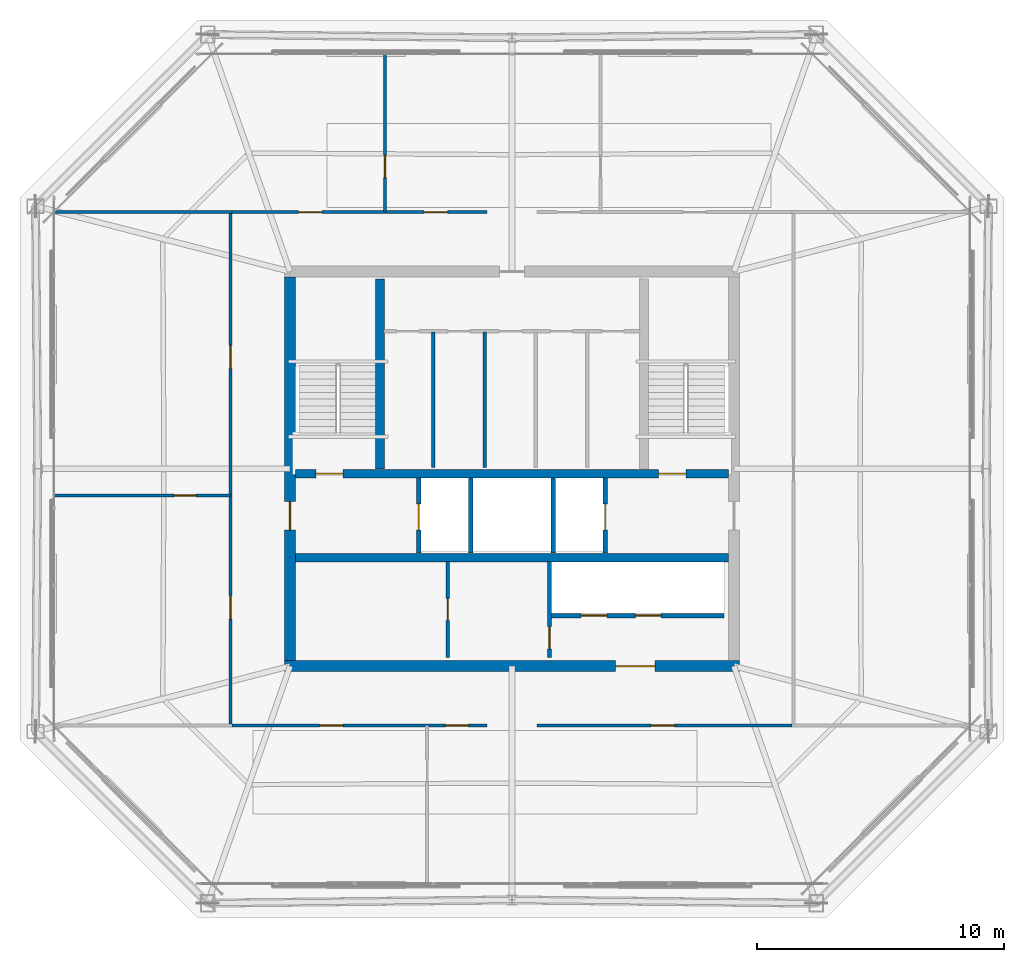
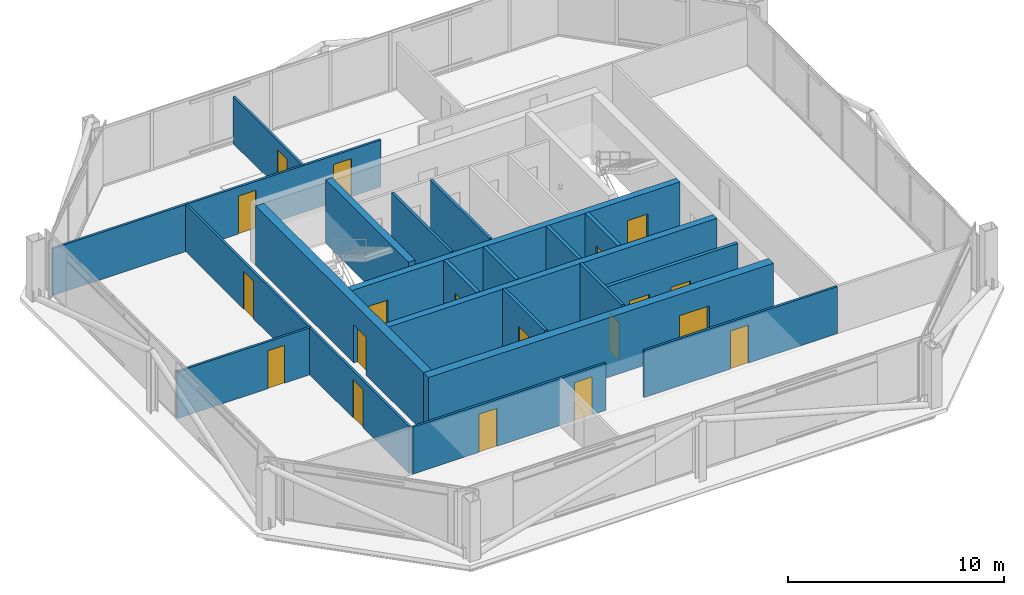
# One storey, part 23 of 26: 21 walls, 19 doors, 19 openings.
"""IFC4 building model written with IfcOpenShell, lengths in metres."""

from ifc_helpers import new_model, si_unit, direction, frame, frame_2d, origin, place, context, subcontext, project, spatial, rectangle, extrude, material, layer, layer_set, type_object, element, fill, save


model = new_model("IFC4")

# Units and contexts
model_context = context("Model", 3, precision=1e-05, world=origin(), true_north=direction((0.0, 1.0)))
body_context = subcontext(model_context, "Body", "Model", "MODEL_VIEW")
ifc_project = project(units=[si_unit("LENGTHUNIT", "METRE"), si_unit("AREAUNIT", "SQUARE_METRE"), si_unit("VOLUMEUNIT", "CUBIC_METRE"), si_unit("PLANEANGLEUNIT", "RADIAN"), si_unit("MASSUNIT", "GRAM", prefix="KILO")], contexts=[model_context])

# Site, building, storey
site_placement = place(None, origin())
site = spatial("IfcSite", under=ifc_project, at=site_placement, CompositionType="ELEMENT")
building_placement = place(site_placement, origin())
building = spatial("IfcBuilding", under=site, at=building_placement, Name="Caelvoria Tower", CompositionType="ELEMENT")
storey_placement = place(building_placement, frame((0.0, 0.0, 239.39990234375)))
storey = spatial("IfcBuildingStorey", under=building, at=storey_placement, Name="L63", CompositionType="ELEMENT", Elevation=239.39990234375)

# Wall, openings, doors
ifc_material_1 = material(Name="Concrete C50/60", Category="concrete")
ifc_layer_1 = layer(ifc_material_1, 0.35009765625, Name="Concrete C50/60")
ifc_layer_set_1 = layer_set([ifc_layer_1], Name="Core Internal Shear Wall 350 - Concrete C50/60")
wall_type_1 = type_object("IfcWallType", Name="Core Internal Shear Wall 350", PredefinedType="SHEAR", material=ifc_layer_set_1)
wall_1_placement = place(storey_placement, frame((37.22509765625, 31.800048828125, 0.0), z_axis=(0.0, 0.0, 1.0), x_axis=(1.0, 0.0, 0.0)))
wall_1 = element("IfcWall", 1, at=wall_1_placement, inside=storey, type_object=wall_type_1, Name="Core Shear Wall L63 M1", PredefinedType="SHEAR", context=body_context, shape_type="SweptSolid", body=[
    extrude(rectangle(XDim=17.5498046875, YDim=0.35009765625, at=frame_2d((8.77490234375, 0.0))), origin(), (0.0, 0.0, 1.0), 3.360107421875),
])
opening_1_placement = place(wall_1_placement, frame((0.824951171875, 0.0, 0.0)))
opening_1 = element("IfcOpeningElement", 2, at=opening_1_placement, cuts=wall_1, Name="Opening ID-01", PredefinedType="OPENING", context=body_context, shape_type="SweptSolid", body=[
    extrude(rectangle(XDim=1.10009765625, YDim=2.14990234375, at=frame_2d((0.550048828125, 1.074951171875))), frame((0.0, 0.18505859375, 0.0), z_axis=(0.0, -1.0, 0.0), x_axis=(1.0, 0.0, 0.0)), (0.0, 0.0, 1.0), 0.3701171875),
])
opening_2_placement = place(wall_1_placement, frame((14.72509765625, 0.0, 0.0)))
opening_2 = element("IfcOpeningElement", 3, at=opening_2_placement, cuts=wall_1, Name="Opening ID-01", PredefinedType="OPENING", context=body_context, shape_type="SweptSolid", body=[
    extrude(rectangle(XDim=1.10009765625, YDim=2.14990234375, at=frame_2d((0.550048828125, 1.074951171875))), frame((0.0, 0.18505859375, 0.0), z_axis=(0.0, -1.0, 0.0), x_axis=(1.0, 0.0, 0.0)), (0.0, 0.0, 1.0), 0.3701171875),
])
ifc_material_2 = material(Name="Painted Hollow Steel Fire Door", Category="steel")
door_type_1 = type_object("IfcDoorType", Name="Fire Door FD90S 1100x2150", OperationType="NOTDEFINED", PredefinedType="DOOR", material=ifc_material_2)
door_1_placement = place(opening_1_placement, origin())
door_1 = element("IfcDoor", 4, at=door_1_placement, inside=storey, type_object=door_type_1, Name="Core Door DR-L63-ST1", OperationType="SINGLE_SWING_LEFT", OverallHeight=2.14990234375, OverallWidth=1.10009765625, PredefinedType="DOOR", context=body_context, shape_type="SweptSolid", body=[
    extrude(rectangle(XDim=1.10009765625, YDim=2.14990234375, at=frame_2d((0.550048828125, 1.074951171875))), frame((0.0, 0.02490234375, 0.0), z_axis=(0.0, -1.0, 0.0), x_axis=(1.0, 0.0, 0.0)), (0.0, 0.0, 1.0), 0.050048828125),
])
fill(opening_1, door_1)
door_2_placement = place(opening_2_placement, origin())
door_2 = element("IfcDoor", 5, at=door_2_placement, inside=storey, type_object=door_type_1, Name="Core Door DR-L63-ST2", OperationType="SINGLE_SWING_RIGHT", OverallHeight=2.14990234375, OverallWidth=1.10009765625, PredefinedType="DOOR", context=body_context, shape_type="SweptSolid", body=[
    extrude(rectangle(XDim=1.10009765625, YDim=2.14990234375, at=frame_2d((0.550048828125, 1.074951171875))), frame((0.0, 0.02490234375, 0.0), z_axis=(0.0, -1.0, 0.0), x_axis=(1.0, 0.0, 0.0)), (0.0, 0.0, 1.0), 0.050048828125),
])
fill(opening_2, door_2)

# Walls
wall_2_placement = place(storey_placement, frame((37.22509765625, 28.39990234375, 0.0), z_axis=(0.0, 0.0, 1.0), x_axis=(1.0, 0.0, 0.0)))
element("IfcWall", 6, at=wall_2_placement, inside=storey, type_object=wall_type_1, Name="Core Shear Wall L63 M2", PredefinedType="SHEAR", context=body_context, shape_type="SweptSolid", body=[
    extrude(rectangle(XDim=17.5498046875, YDim=0.35009765625, at=frame_2d((8.77490234375, 0.0))), origin(), (0.0, 0.0, 1.0), 3.360107421875),
])
wall_3_placement = place(storey_placement, frame((40.64990234375, 32.0, 0.0), z_axis=(0.0, 0.0, 1.0), x_axis=(0.0, 1.0, 0.0)))
element("IfcWall", 7, at=wall_3_placement, inside=storey, type_object=wall_type_1, Name="Interior Partition IW-L63-ST1E", PredefinedType="SHEAR", context=body_context, shape_type="SweptSolid", body=[
    extrude(rectangle(XDim=7.699951171875, YDim=0.35009765625, at=frame_2d((3.85009765625, 0.0))), origin(), (0.0, 0.0, 1.0), 3.60009765625),
])
ifc_material_3 = material(Name="Moisture-Resistant Gypsum on Steel Stud", Category="steel")
ifc_layer_2 = layer(ifc_material_3, 0.139892578125, Name="Moisture-Resistant Gypsum on Steel Stud")
ifc_layer_set_2 = layer_set([ifc_layer_2], Name="Core Sanitary Acoustic Partition Wall 140 - Moisture-Resistant Gypsum on Steel Stud")
wall_type_2 = type_object("IfcWallType", Name="Core Sanitary Acoustic Partition Wall 140", PredefinedType="PARTITIONING", material=ifc_layer_set_2)
for number, where, z_axis, x_axis, name in (
    (8, (42.81005859375, 32.050048828125, 0.0), (0.0, 0.0, 1.0), (0.0, 1.0, 0.0), "Interior Partition IW-L63-C1V0"),
    (9, (44.889892578125, 32.050048828125, 0.0), (0.0, 0.0, 1.0), (0.0, 1.0, 0.0), "Interior Partition IW-L63-C1V1"),
):
    element("IfcWall", number, at=place(storey_placement, frame(where, z_axis=z_axis, x_axis=x_axis)), inside=storey, type_object=wall_type_2, Name=name, PredefinedType="PARTITIONING", context=body_context, shape_type="SweptSolid", body=[
        extrude(rectangle(XDim=5.5, YDim=0.139892578125, at=frame_2d((2.75, 0.0))), origin(), (0.0, 0.0, 1.0), 3.375),
    ])

# Wall, opening, door
ifc_material_4 = material(Name="Double Gypsum Board on Steel Stud", Category="steel")
ifc_layer_3 = layer(ifc_material_4, 0.14990234375, Name="Double Gypsum Board on Steel Stud")
ifc_layer_set_3 = layer_set([ifc_layer_3], Name="Core Service Acoustic Partition Wall 150 - Double Gypsum Board on Steel Stud")
wall_type_3 = type_object("IfcWallType", Name="Core Service Acoustic Partition Wall 150", PredefinedType="PARTITIONING", material=ifc_layer_set_3)
wall_4_placement = place(storey_placement, frame((43.39990234375, 24.35009765625, 0.0), z_axis=(0.0, 0.0, 1.0), x_axis=(0.0, 1.0, 0.0)))
wall_4 = element("IfcWall", 10, at=wall_4_placement, inside=storey, type_object=wall_type_3, Name="Interior Partition IW-L63-RECL-MID", PredefinedType="PARTITIONING", context=body_context, shape_type="SweptSolid", body=[
    extrude(rectangle(XDim=3.89990234375, YDim=0.14990234375, at=frame_2d((1.949951171875, 0.0))), origin(), (0.0, 0.0, 1.0), 3.375),
])
opening_3_placement = place(wall_4_placement, frame((1.5, 0.0, 0.0)))
opening_3 = element("IfcOpeningElement", 11, at=opening_3_placement, cuts=wall_4, Name="Opening ID-06", PredefinedType="OPENING", context=body_context, shape_type="SweptSolid", body=[
    extrude(rectangle(XDim=0.89990234375, YDim=2.14990234375, at=frame_2d((0.449951171875, 1.074951171875))), frame((0.0, 0.0849609375, 0.0), z_axis=(0.0, -1.0, 0.0), x_axis=(1.0, 0.0, 0.0)), (0.0, 0.0, 1.0), 0.169921875),
])
ifc_material_5 = material(Name="Engineered Andean Oak Veneer Door", Category="wood")
door_type_2 = type_object("IfcDoorType", Name="Interior Timber Door 900x2150", OperationType="NOTDEFINED", PredefinedType="DOOR", material=ifc_material_5)
door_3_placement = place(opening_3_placement, origin())
door_3 = element("IfcDoor", 12, at=door_3_placement, inside=storey, type_object=door_type_2, Name="Interior Door DR-L63-RECL12", OperationType="SINGLE_SWING_LEFT", OverallHeight=2.14990234375, OverallWidth=0.89990234375, PredefinedType="DOOR", context=body_context, shape_type="SweptSolid", body=[
    extrude(rectangle(XDim=0.89990234375, YDim=2.14990234375, at=frame_2d((0.449951171875, 1.074951171875))), frame((0.0, 0.02490234375, 0.0), z_axis=(0.0, -1.0, 0.0), x_axis=(1.0, 0.0, 0.0)), (0.0, 0.0, 1.0), 0.050048828125),
])
fill(opening_3, door_3)

wall_5_placement = place(storey_placement, frame((47.52001953125, 24.35009765625, 0.0), z_axis=(0.0, 0.0, 1.0), x_axis=(0.0, 1.0, 0.0)))
wall_5 = element("IfcWall", 13, at=wall_5_placement, inside=storey, type_object=wall_type_3, Name="Interior Partition IW-L63-RECL2E", PredefinedType="PARTITIONING", context=body_context, shape_type="SweptSolid", body=[
    extrude(rectangle(XDim=3.89990234375, YDim=0.14990234375, at=frame_2d((1.949951171875, 0.0))), origin(), (0.0, 0.0, 1.0), 3.375),
])
opening_4_placement = place(wall_5_placement, frame((0.35009765625, 0.0, 0.0)))
opening_4 = element("IfcOpeningElement", 14, at=opening_4_placement, cuts=wall_5, Name="Opening ID-04", PredefinedType="OPENING", context=body_context, shape_type="SweptSolid", body=[
    extrude(rectangle(XDim=0.89990234375, YDim=2.14990234375, at=frame_2d((0.449951171875, 1.074951171875))), frame((0.0, 0.0849609375, 0.0), z_axis=(0.0, -1.0, 0.0), x_axis=(1.0, 0.0, 0.0)), (0.0, 0.0, 1.0), 0.169921875),
])
ifc_material_6 = material(Name="Acoustic Timber Fire Door", Category="wood")
door_type_3 = type_object("IfcDoorType", Name="Fire Door FD30S 900x2150", OperationType="NOTDEFINED", PredefinedType="DOOR", material=ifc_material_6)
door_4_placement = place(opening_4_placement, origin())
door_4 = element("IfcDoor", 15, at=door_4_placement, inside=storey, type_object=door_type_3, Name="Interior Door DR-L63-RECL2", OperationType="SINGLE_SWING_RIGHT", OverallHeight=2.14990234375, OverallWidth=0.89990234375, PredefinedType="DOOR", context=body_context, shape_type="SweptSolid", body=[
    extrude(rectangle(XDim=0.89990234375, YDim=2.14990234375, at=frame_2d((0.449951171875, 1.074951171875))), frame((0.0, 0.02490234375, 0.0), z_axis=(0.0, -1.0, 0.0), x_axis=(1.0, 0.0, 0.0)), (0.0, 0.0, 1.0), 0.050048828125),
])
fill(opening_4, door_4)

# Walls
ifc_material_7 = material(Name="Concrete Block and Fireboard Assembly", Category="concrete")
ifc_layer_4 = layer(ifc_material_7, 0.179931640625, Name="Concrete Block and Fireboard Assembly")
ifc_layer_set_4 = layer_set([ifc_layer_4], Name="Fire-Rated Hoistway Partition Wall 180 - Concrete Block and Fireboard Assembly")
wall_type_4 = type_object("IfcWallType", Name="Fire-Rated Hoistway Partition Wall 180", PredefinedType="PARTITIONING", material=ifc_layer_set_4)
for number, where, z_axis, x_axis, name in (
    (16, (44.320068359375, 28.580078125, 0.0), (0.0, 0.0, 1.0), (0.0, 1.0, 0.0), "Interior Partition IW-L63-SV1W"),
    (17, (47.679931640625, 28.580078125, 0.0), (0.0, 0.0, 1.0), (0.0, 1.0, 0.0), "Interior Partition IW-L63-SV1E"),
):
    element("IfcWall", number, at=place(storey_placement, frame(where, z_axis=z_axis, x_axis=x_axis)), inside=storey, type_object=wall_type_4, Name=name, PredefinedType="PARTITIONING", context=body_context, shape_type="SweptSolid", body=[
        extrude(rectangle(XDim=3.0400390625, YDim=0.179931640625, at=frame_2d((1.52001953125, 0.0))), origin(), (0.0, 0.0, 1.0), 3.375),
    ])

# Wall, openings, doors
wall_6_placement = place(storey_placement, frame((47.60009765625, 26.050048828125, 0.0), z_axis=(0.0, 0.0, 1.0), x_axis=(1.0, 0.0, 0.0)))
wall_6 = element("IfcWall", 18, at=wall_6_placement, inside=storey, type_object=wall_type_4, Name="Interior Partition IW-L63-LFRONT", PredefinedType="PARTITIONING", context=body_context, shape_type="SweptSolid", body=[
    extrude(rectangle(XDim=7.0, YDim=0.179931640625, at=frame_2d((3.5, 0.0))), origin(), (0.0, 0.0, 1.0), 3.375),
])
opening_5_placement = place(wall_6_placement, frame((1.199951171875, 0.0, 0.0)))
opening_5 = element("IfcOpeningElement", 19, at=opening_5_placement, cuts=wall_6, Name="Opening LD-01", PredefinedType="OPENING", context=body_context, shape_type="SweptSolid", body=[
    extrude(rectangle(XDim=1.050048828125, YDim=2.14990234375, at=frame_2d((0.52490234375, 1.074951171875))), frame((0.0, 0.099853515625, 0.0), z_axis=(0.0, -1.0, 0.0), x_axis=(1.0, 0.0, 0.0)), (0.0, 0.0, 1.0), 0.199951171875),
])
opening_6_placement = place(wall_6_placement, frame((3.39990234375, 0.0, 0.0)))
opening_6 = element("IfcOpeningElement", 20, at=opening_6_placement, cuts=wall_6, Name="Opening LD-01", PredefinedType="OPENING", context=body_context, shape_type="SweptSolid", body=[
    extrude(rectangle(XDim=1.050048828125, YDim=2.14990234375, at=frame_2d((0.52490234375, 1.074951171875))), frame((0.0, 0.099853515625, 0.0), z_axis=(0.0, -1.0, 0.0), x_axis=(1.0, 0.0, 0.0)), (0.0, 0.0, 1.0), 0.199951171875),
])
ifc_material_8 = material(Name="Brushed Bronze Stainless Sliding Landing Door", Category="aluminium")
door_type_4 = type_object("IfcDoorType", Name="Lift Landing Sliding Door 1100x2150", OperationType="NOTDEFINED", PredefinedType="DOOR", material=ifc_material_8)
door_5_placement = place(opening_5_placement, origin())
door_5 = element("IfcDoor", 21, at=door_5_placement, inside=storey, type_object=door_type_4, Name="Interior Door LD-L63-PH1", OperationType="SLIDING_TO_LEFT", OverallHeight=2.14990234375, OverallWidth=1.050048828125, PredefinedType="DOOR", context=body_context, shape_type="SweptSolid", body=[
    extrude(rectangle(XDim=1.050048828125, YDim=2.14990234375, at=frame_2d((0.52490234375, 1.074951171875))), frame((0.0, 0.02490234375, 0.0), z_axis=(0.0, -1.0, 0.0), x_axis=(1.0, 0.0, 0.0)), (0.0, 0.0, 1.0), 0.050048828125),
])
fill(opening_5, door_5)
door_6_placement = place(opening_6_placement, origin())
door_6 = element("IfcDoor", 22, at=door_6_placement, inside=storey, type_object=door_type_4, Name="Interior Door LD-L63-PH2", OperationType="SLIDING_TO_RIGHT", OverallHeight=2.14990234375, OverallWidth=1.050048828125, PredefinedType="DOOR", context=body_context, shape_type="SweptSolid", body=[
    extrude(rectangle(XDim=1.050048828125, YDim=2.14990234375, at=frame_2d((0.52490234375, 1.074951171875))), frame((0.0, 0.02490234375, 0.0), z_axis=(0.0, -1.0, 0.0), x_axis=(1.0, 0.0, 0.0)), (0.0, 0.0, 1.0), 0.050048828125),
])
fill(opening_6, door_6)

# Wall, opening, door
ifc_layer_5 = layer(ifc_material_7, 0.199951171875, Name="Concrete Block and Fireboard Assembly")
ifc_layer_set_5 = layer_set([ifc_layer_5], Name="Fire-Rated Shaft and Core Partition Wall 200 - Concrete Block and Fireboard Assembly")
wall_type_5 = type_object("IfcWallType", Name="Fire-Rated Shaft and Core Partition Wall 200", PredefinedType="PARTITIONING", material=ifc_layer_set_5)
wall_7_placement = place(storey_placement, frame((42.219970703125, 28.580078125, 0.0), z_axis=(0.0, 0.0, 1.0), x_axis=(0.0, 1.0, 0.0)))
wall_7 = element("IfcWall", 23, at=wall_7_placement, inside=storey, type_object=wall_type_5, Name="Interior Partition IW-L63-LF1W", PredefinedType="PARTITIONING", context=body_context, shape_type="SweptSolid", body=[
    extrude(rectangle(XDim=3.0400390625, YDim=0.199951171875, at=frame_2d((1.52001953125, 0.0))), origin(), (0.0, 0.0, 1.0), 3.375),
])
opening_7_placement = place(wall_7_placement, frame((0.949951171875, 0.0, 0.0)))
opening_7 = element("IfcOpeningElement", 24, at=opening_7_placement, cuts=wall_7, Name="Opening LD-01", PredefinedType="OPENING", context=body_context, shape_type="SweptSolid", body=[
    extrude(rectangle(XDim=1.050048828125, YDim=2.14990234375, at=frame_2d((0.52490234375, 1.074951171875))), frame((0.0, 0.10986328125, 0.0), z_axis=(0.0, -1.0, 0.0), x_axis=(1.0, 0.0, 0.0)), (0.0, 0.0, 1.0), 0.219970703125),
])
door_7_placement = place(opening_7_placement, origin())
door_7 = element("IfcDoor", 25, at=door_7_placement, inside=storey, type_object=door_type_4, Name="Interior Door LD-L63-LF1", OperationType="SLIDING_TO_LEFT", OverallHeight=2.14990234375, OverallWidth=1.050048828125, PredefinedType="DOOR", context=body_context, shape_type="SweptSolid", body=[
    extrude(rectangle(XDim=1.050048828125, YDim=2.14990234375, at=frame_2d((0.52490234375, 1.074951171875))), frame((0.0, 0.02490234375, 0.0), z_axis=(0.0, -1.0, 0.0), x_axis=(1.0, 0.0, 0.0)), (0.0, 0.0, 1.0), 0.050048828125),
])
fill(opening_7, door_7)

wall_8_placement = place(storey_placement, frame((49.780029296875, 28.580078125, 0.0), z_axis=(0.0, 0.0, 1.0), x_axis=(0.0, 1.0, 0.0)))
wall_8 = element("IfcWall", 26, at=wall_8_placement, inside=storey, type_object=wall_type_5, Name="Interior Partition IW-L63-LF2E", PredefinedType="PARTITIONING", context=body_context, shape_type="SweptSolid", body=[
    extrude(rectangle(XDim=3.0400390625, YDim=0.199951171875, at=frame_2d((1.52001953125, 0.0))), origin(), (0.0, 0.0, 1.0), 3.375),
])
opening_8_placement = place(wall_8_placement, frame((0.949951171875, 0.0, 0.0)))
opening_8 = element("IfcOpeningElement", 27, at=opening_8_placement, cuts=wall_8, Name="Opening LD-01", PredefinedType="OPENING", context=body_context, shape_type="SweptSolid", body=[
    extrude(rectangle(XDim=1.050048828125, YDim=2.14990234375, at=frame_2d((0.52490234375, 1.074951171875))), frame((0.0, 0.10986328125, 0.0), z_axis=(0.0, -1.0, 0.0), x_axis=(1.0, 0.0, 0.0)), (0.0, 0.0, 1.0), 0.219970703125),
])
door_8_placement = place(opening_8_placement, origin())
door_8 = element("IfcDoor", 28, at=door_8_placement, inside=storey, type_object=door_type_4, Name="Interior Door LD-L63-LF2", OperationType="SLIDING_TO_RIGHT", OverallHeight=2.14990234375, OverallWidth=1.050048828125, PredefinedType="DOOR", context=body_context, shape_type="SweptSolid", body=[
    extrude(rectangle(XDim=1.050048828125, YDim=2.14990234375, at=frame_2d((0.52490234375, 1.074951171875))), frame((0.0, 0.02490234375, 0.0), z_axis=(0.0, -1.0, 0.0), x_axis=(1.0, 0.0, 0.0)), (0.0, 0.0, 1.0), 0.050048828125),
])
fill(opening_8, door_8)

# Wall, openings, doors
ifc_material_9 = material(Name="Acoustic Gypsum Board on Light-Gauge Stud", Category="gypsum")
ifc_layer_6 = layer(ifc_material_9, 0.1201171875, Name="Acoustic Gypsum Board on Light-Gauge Stud")
ifc_layer_set_6 = layer_set([ifc_layer_6], Name="Tenant Suite Acoustic Partition Wall 120 - Acoustic Gypsum Board on Light-Gauge Stud")
wall_type_6 = type_object("IfcWallType", Name="Tenant Suite Acoustic Partition Wall 120", PredefinedType="PARTITIONING", material=ifc_layer_set_6)
wall_9_placement = place(storey_placement, frame((34.64990234375, 21.590087890625, 0.0), z_axis=(0.0, 0.0, 1.0), x_axis=(1.0, 0.0, 0.0)))
wall_9 = element("IfcWall", 29, at=wall_9_placement, inside=storey, type_object=wall_type_6, Name="Interior Partition IW-L63-SCW-0", PredefinedType="PARTITIONING", context=body_context, shape_type="SweptSolid", body=[
    extrude(rectangle(XDim=10.330078125, YDim=0.1201171875, at=frame_2d((5.1650390625, 0.0))), origin(), (0.0, 0.0, 1.0), 2.655029296875),
])
opening_9_placement = place(wall_9_placement, frame((3.549560546875, 0.0, 0.0)))
opening_9 = element("IfcOpeningElement", 30, at=opening_9_placement, cuts=wall_9, Name="Opening ID-05", PredefinedType="OPENING", context=body_context, shape_type="SweptSolid", body=[
    extrude(rectangle(XDim=0.949951171875, YDim=2.14990234375, at=frame_2d((0.47509765625, 1.074951171875))), frame((0.0, 0.070068359375, 0.0), z_axis=(0.0, -1.0, 0.0), x_axis=(1.0, 0.0, 0.0)), (0.0, 0.0, 1.0), 0.14013671875),
])
opening_10_placement = place(wall_9_placement, frame((8.64453125, 0.0, 0.0)))
opening_10 = element("IfcOpeningElement", 31, at=opening_10_placement, cuts=wall_9, Name="Opening ID-05", PredefinedType="OPENING", context=body_context, shape_type="SweptSolid", body=[
    extrude(rectangle(XDim=0.949951171875, YDim=2.14990234375, at=frame_2d((0.47509765625, 1.074951171875))), frame((0.0, 0.070068359375, 0.0), z_axis=(0.0, -1.0, 0.0), x_axis=(1.0, 0.0, 0.0)), (0.0, 0.0, 1.0), 0.14013671875),
])
door_type_5 = type_object("IfcDoorType", Name="Interior Timber Door 950x2150", OperationType="NOTDEFINED", PredefinedType="DOOR", material=ifc_material_5)
door_9_placement = place(opening_9_placement, origin())
door_9 = element("IfcDoor", 32, at=door_9_placement, inside=storey, type_object=door_type_5, Name="Interior Door DR-L63-SC-00-0", OperationType="SINGLE_SWING_RIGHT", OverallHeight=2.14990234375, OverallWidth=0.949951171875, PredefinedType="DOOR", context=body_context, shape_type="SweptSolid", body=[
    extrude(rectangle(XDim=0.949951171875, YDim=2.14990234375, at=frame_2d((0.47509765625, 1.074951171875))), frame((0.0, 0.02490234375, 0.0), z_axis=(0.0, -1.0, 0.0), x_axis=(1.0, 0.0, 0.0)), (0.0, 0.0, 1.0), 0.050048828125),
])
fill(opening_9, door_9)
door_10_placement = place(opening_10_placement, origin())
door_10 = element("IfcDoor", 33, at=door_10_placement, inside=storey, type_object=door_type_5, Name="Interior Door DR-L63-SC-01-0", OperationType="SINGLE_SWING_LEFT", OverallHeight=2.14990234375, OverallWidth=0.949951171875, PredefinedType="DOOR", context=body_context, shape_type="SweptSolid", body=[
    extrude(rectangle(XDim=0.949951171875, YDim=2.14990234375, at=frame_2d((0.47509765625, 1.074951171875))), frame((0.0, 0.02490234375, 0.0), z_axis=(0.0, -1.0, 0.0), x_axis=(1.0, 0.0, 0.0)), (0.0, 0.0, 1.0), 0.050048828125),
])
fill(opening_10, door_10)

# Wall, opening, door
wall_10_placement = place(storey_placement, frame((47.02001953125, 21.590087890625, 0.0), z_axis=(0.0, 0.0, 1.0), x_axis=(1.0, 0.0, 0.0)))
wall_10 = element("IfcWall", 34, at=wall_10_placement, inside=storey, type_object=wall_type_6, Name="Interior Partition IW-L63-SCW-1", PredefinedType="PARTITIONING", context=body_context, shape_type="SweptSolid", body=[
    extrude(rectangle(XDim=10.330078125, YDim=0.1201171875, at=frame_2d((5.1650390625, 0.0))), origin(), (0.0, 0.0, 1.0), 2.655029296875),
])
opening_11_placement = place(wall_10_placement, frame((4.6201171875, 0.0, 0.0)))
opening_11 = element("IfcOpeningElement", 35, at=opening_11_placement, cuts=wall_10, Name="Opening ID-05", PredefinedType="OPENING", context=body_context, shape_type="SweptSolid", body=[
    extrude(rectangle(XDim=0.949951171875, YDim=2.14990234375, at=frame_2d((0.47509765625, 1.074951171875))), frame((0.0, 0.070068359375, 0.0), z_axis=(0.0, -1.0, 0.0), x_axis=(1.0, 0.0, 0.0)), (0.0, 0.0, 1.0), 0.14013671875),
])
door_11_placement = place(opening_11_placement, origin())
door_11 = element("IfcDoor", 36, at=door_11_placement, inside=storey, type_object=door_type_5, Name="Interior Door DR-L63-SC-02-0", OperationType="SINGLE_SWING_RIGHT", OverallHeight=2.14990234375, OverallWidth=0.949951171875, PredefinedType="DOOR", context=body_context, shape_type="SweptSolid", body=[
    extrude(rectangle(XDim=0.949951171875, YDim=2.14990234375, at=frame_2d((0.47509765625, 1.074951171875))), frame((0.0, 0.02490234375, 0.0), z_axis=(0.0, -1.0, 0.0), x_axis=(1.0, 0.0, 0.0)), (0.0, 0.0, 1.0), 0.050048828125),
])
fill(opening_11, door_11)

wall_11_placement = place(storey_placement, frame((40.849853515625, 42.409912109375, 0.0), z_axis=(0.0, 0.0, 1.0), x_axis=(0.0, 1.0, 0.0)))
wall_11 = element("IfcWall", 37, at=wall_11_placement, inside=storey, type_object=wall_type_6, Name="Interior Partition IW-L63-ND-00-0", PredefinedType="PARTITIONING", context=body_context, shape_type="SweptSolid", body=[
    extrude(rectangle(XDim=6.41015625, YDim=0.1201171875, at=frame_2d((3.205078125, 0.0))), origin(), (0.0, 0.0, 1.0), 2.655029296875),
])
opening_12_placement = place(wall_11_placement, frame((1.39990234375, 0.0, 0.0)))
opening_12 = element("IfcOpeningElement", 38, at=opening_12_placement, cuts=wall_11, Name="Opening ID-06", PredefinedType="OPENING", context=body_context, shape_type="SweptSolid", body=[
    extrude(rectangle(XDim=0.89990234375, YDim=2.14990234375, at=frame_2d((0.449951171875, 1.074951171875))), frame((0.0, 0.070068359375, 0.0), z_axis=(0.0, -1.0, 0.0), x_axis=(1.0, 0.0, 0.0)), (0.0, 0.0, 1.0), 0.14013671875),
])
door_12_placement = place(opening_12_placement, origin())
door_12 = element("IfcDoor", 39, at=door_12_placement, inside=storey, type_object=door_type_2, Name="Interior Door DR-L63-NM-00-0", OperationType="SINGLE_SWING_RIGHT", OverallHeight=2.14990234375, OverallWidth=0.89990234375, PredefinedType="DOOR", context=body_context, shape_type="SweptSolid", body=[
    extrude(rectangle(XDim=0.89990234375, YDim=2.14990234375, at=frame_2d((0.449951171875, 1.074951171875))), frame((0.0, 0.02490234375, 0.0), z_axis=(0.0, -1.0, 0.0), x_axis=(1.0, 0.0, 0.0)), (0.0, 0.0, 1.0), 0.050048828125),
])
fill(opening_12, door_12)

# Wall, openings, doors
wall_12_placement = place(storey_placement, frame((34.64990234375, 42.409912109375, 0.0), z_axis=(0.0, 0.0, 1.0), x_axis=(1.0, 0.0, 0.0)))
wall_12 = element("IfcWall", 40, at=wall_12_placement, inside=storey, type_object=wall_type_6, Name="Interior Partition IW-L63-NCW-0", PredefinedType="PARTITIONING", context=body_context, shape_type="SweptSolid", body=[
    extrude(rectangle(XDim=10.330078125, YDim=0.1201171875, at=frame_2d((5.1650390625, 0.0))), origin(), (0.0, 0.0, 1.0), 2.655029296875),
])
opening_13_placement = place(wall_12_placement, frame((2.69482421875, 0.0, 0.0)))
opening_13 = element("IfcOpeningElement", 41, at=opening_13_placement, cuts=wall_12, Name="Opening ID-05", PredefinedType="OPENING", context=body_context, shape_type="SweptSolid", body=[
    extrude(rectangle(XDim=0.949951171875, YDim=2.14990234375, at=frame_2d((0.47509765625, 1.074951171875))), frame((0.0, 0.070068359375, 0.0), z_axis=(0.0, -1.0, 0.0), x_axis=(1.0, 0.0, 0.0)), (0.0, 0.0, 1.0), 0.14013671875),
])
opening_14_placement = place(wall_12_placement, frame((7.7900390625, 0.0, 0.0)))
opening_14 = element("IfcOpeningElement", 42, at=opening_14_placement, cuts=wall_12, Name="Opening ID-05", PredefinedType="OPENING", context=body_context, shape_type="SweptSolid", body=[
    extrude(rectangle(XDim=0.949951171875, YDim=2.14990234375, at=frame_2d((0.47509765625, 1.074951171875))), frame((0.0, 0.070068359375, 0.0), z_axis=(0.0, -1.0, 0.0), x_axis=(1.0, 0.0, 0.0)), (0.0, 0.0, 1.0), 0.14013671875),
])
door_13_placement = place(opening_13_placement, origin())
door_13 = element("IfcDoor", 43, at=door_13_placement, inside=storey, type_object=door_type_5, Name="Interior Door DR-L63-NC-00-0", OperationType="SINGLE_SWING_RIGHT", OverallHeight=2.14990234375, OverallWidth=0.949951171875, PredefinedType="DOOR", context=body_context, shape_type="SweptSolid", body=[
    extrude(rectangle(XDim=0.949951171875, YDim=2.14990234375, at=frame_2d((0.47509765625, 1.074951171875))), frame((0.0, 0.02490234375, 0.0), z_axis=(0.0, -1.0, 0.0), x_axis=(1.0, 0.0, 0.0)), (0.0, 0.0, 1.0), 0.050048828125),
])
fill(opening_13, door_13)
door_14_placement = place(opening_14_placement, origin())
door_14 = element("IfcDoor", 44, at=door_14_placement, inside=storey, type_object=door_type_5, Name="Interior Door DR-L63-NC-01-0", OperationType="SINGLE_SWING_LEFT", OverallHeight=2.14990234375, OverallWidth=0.949951171875, PredefinedType="DOOR", context=body_context, shape_type="SweptSolid", body=[
    extrude(rectangle(XDim=0.949951171875, YDim=2.14990234375, at=frame_2d((0.47509765625, 1.074951171875))), frame((0.0, 0.02490234375, 0.0), z_axis=(0.0, -1.0, 0.0), x_axis=(1.0, 0.0, 0.0)), (0.0, 0.0, 1.0), 0.050048828125),
])
fill(opening_14, door_14)

# Wall, opening, door
wall_13_placement = place(storey_placement, frame((34.590087890625, 30.921142578125, 0.0), z_axis=(0.0, 0.0, 1.0), x_axis=(-1.0, 0.0, 0.0)))
wall_13 = element("IfcWall", 45, at=wall_13_placement, inside=storey, type_object=wall_type_6, Name="Interior Partition IW-L63-WD-00-0", PredefinedType="PARTITIONING", context=body_context, shape_type="SweptSolid", body=[
    extrude(rectangle(XDim=7.16015625, YDim=0.1201171875, at=frame_2d((3.580078125, 0.0))), origin(), (0.0, 0.0, 1.0), 2.655029296875),
])
opening_15_placement = place(wall_13_placement, frame((1.39990234375, 0.0, 0.0)))
opening_15 = element("IfcOpeningElement", 46, at=opening_15_placement, cuts=wall_13, Name="Opening ID-06", PredefinedType="OPENING", context=body_context, shape_type="SweptSolid", body=[
    extrude(rectangle(XDim=0.89990234375, YDim=2.14990234375, at=frame_2d((0.449951171875, 1.074951171875))), frame((0.0, 0.070068359375, 0.0), z_axis=(0.0, -1.0, 0.0), x_axis=(1.0, 0.0, 0.0)), (0.0, 0.0, 1.0), 0.14013671875),
])
door_15_placement = place(opening_15_placement, origin())
door_15 = element("IfcDoor", 47, at=door_15_placement, inside=storey, type_object=door_type_2, Name="Interior Door DR-L63-WM-00-0", OperationType="SINGLE_SWING_RIGHT", OverallHeight=2.14990234375, OverallWidth=0.89990234375, PredefinedType="DOOR", context=body_context, shape_type="SweptSolid", body=[
    extrude(rectangle(XDim=0.89990234375, YDim=2.14990234375, at=frame_2d((0.449951171875, 1.074951171875))), frame((0.0, 0.02490234375, 0.0), z_axis=(0.0, -1.0, 0.0), x_axis=(1.0, 0.0, 0.0)), (0.0, 0.0, 1.0), 0.050048828125),
])
fill(opening_15, door_15)

# Wall, openings, doors
wall_14_placement = place(storey_placement, frame((34.590087890625, 21.64990234375, 0.0), z_axis=(0.0, 0.0, 1.0), x_axis=(0.0, 1.0, 0.0)))
wall_14 = element("IfcWall", 48, at=wall_14_placement, inside=storey, type_object=wall_type_6, Name="Interior Partition IW-L63-WCW-0", PredefinedType="PARTITIONING", context=body_context, shape_type="SweptSolid", body=[
    extrude(rectangle(XDim=20.7001953125, YDim=0.1201171875, at=frame_2d((10.35009765625, 0.0))), origin(), (0.0, 0.0, 1.0), 2.655029296875),
])
opening_16_placement = place(wall_14_placement, frame((4.260498046875, 0.0, 0.0)))
opening_16 = element("IfcOpeningElement", 49, at=opening_16_placement, cuts=wall_14, Name="Opening ID-05", PredefinedType="OPENING", context=body_context, shape_type="SweptSolid", body=[
    extrude(rectangle(XDim=0.949951171875, YDim=2.14990234375, at=frame_2d((0.47509765625, 1.074951171875))), frame((0.0, 0.070068359375, 0.0), z_axis=(0.0, -1.0, 0.0), x_axis=(1.0, 0.0, 0.0)), (0.0, 0.0, 1.0), 0.14013671875),
])
opening_17_placement = place(wall_14_placement, frame((14.41064453125, 0.0, 0.0)))
opening_17 = element("IfcOpeningElement", 50, at=opening_17_placement, cuts=wall_14, Name="Opening ID-05", PredefinedType="OPENING", context=body_context, shape_type="SweptSolid", body=[
    extrude(rectangle(XDim=0.949951171875, YDim=2.14990234375, at=frame_2d((0.47509765625, 1.074951171875))), frame((0.0, 0.070068359375, 0.0), z_axis=(0.0, -1.0, 0.0), x_axis=(1.0, 0.0, 0.0)), (0.0, 0.0, 1.0), 0.14013671875),
])
door_16_placement = place(opening_16_placement, origin())
door_16 = element("IfcDoor", 51, at=door_16_placement, inside=storey, type_object=door_type_5, Name="Interior Door DR-L63-WC-00-0", OperationType="SINGLE_SWING_RIGHT", OverallHeight=2.14990234375, OverallWidth=0.949951171875, PredefinedType="DOOR", context=body_context, shape_type="SweptSolid", body=[
    extrude(rectangle(XDim=0.949951171875, YDim=2.14990234375, at=frame_2d((0.47509765625, 1.074951171875))), frame((0.0, 0.02490234375, 0.0), z_axis=(0.0, -1.0, 0.0), x_axis=(1.0, 0.0, 0.0)), (0.0, 0.0, 1.0), 0.050048828125),
])
fill(opening_16, door_16)
door_17_placement = place(opening_17_placement, origin())
door_17 = element("IfcDoor", 52, at=door_17_placement, inside=storey, type_object=door_type_5, Name="Interior Door DR-L63-WC-01-0", OperationType="SINGLE_SWING_LEFT", OverallHeight=2.14990234375, OverallWidth=0.949951171875, PredefinedType="DOOR", context=body_context, shape_type="SweptSolid", body=[
    extrude(rectangle(XDim=0.949951171875, YDim=2.14990234375, at=frame_2d((0.47509765625, 1.074951171875))), frame((0.0, 0.02490234375, 0.0), z_axis=(0.0, -1.0, 0.0), x_axis=(1.0, 0.0, 0.0)), (0.0, 0.0, 1.0), 0.050048828125),
])
fill(opening_17, door_17)

# Wall
wall_15_placement = place(storey_placement, frame((34.64990234375, 42.409912109375, 0.0), z_axis=(0.0, 0.0, 1.0), x_axis=(-1.0, 0.0, 0.0)))
element("IfcWall", 53, at=wall_15_placement, inside=storey, type_object=wall_type_6, Name="Interior Partition IW-L63-BNW-0", PredefinedType="PARTITIONING", context=body_context, shape_type="SweptSolid", body=[
    extrude(rectangle(XDim=7.219970703125, YDim=0.1201171875, at=frame_2d((3.60986328125, 0.0))), origin(), (0.0, 0.0, 1.0), 2.655029296875),
])

# Wall, opening, door
ifc_layer_7 = layer(ifc_material_1, 0.449951171875, Name="Concrete C50/60")
ifc_layer_set_7 = layer_set([ifc_layer_7], Name="Upper Core Shear Wall 450 - Concrete C50/60")
wall_type_7 = type_object("IfcWallType", Name="Upper Core Shear Wall 450", PredefinedType="SHEAR", material=ifc_layer_set_7)
wall_16_placement = place(storey_placement, frame((36.77490234375, 24.0, 0.0), z_axis=(0.0, 0.0, 1.0), x_axis=(1.0, 0.0, 0.0)))
wall_16 = element("IfcWall", 54, at=wall_16_placement, inside=storey, type_object=wall_type_7, Name="Core Shear Wall L63 S", PredefinedType="SHEAR", context=body_context, shape_type="SweptSolid", body=[
    extrude(rectangle(XDim=18.4501953125, YDim=0.449951171875, at=frame_2d((9.22509765625, 0.0))), origin(), (0.0, 0.0, 1.0), 3.360107421875),
])
opening_18_placement = place(wall_16_placement, frame((13.425048828125, 0.0, 0.0)))
opening_18 = element("IfcOpeningElement", 55, at=opening_18_placement, cuts=wall_16, Name="Opening ID-08", PredefinedType="OPENING", context=body_context, shape_type="SweptSolid", body=[
    extrude(rectangle(XDim=1.60009765625, YDim=2.14990234375, at=frame_2d((0.800048828125, 1.074951171875))), frame((0.0, 0.23486328125, 0.0), z_axis=(0.0, -1.0, 0.0), x_axis=(1.0, 0.0, 0.0)), (0.0, 0.0, 1.0), 0.469970703125),
])
ifc_material_10 = material(Name="Bronze-Framed Fire-Rated Glazed Double Door", Category="aluminium")
door_type_6 = type_object("IfcDoorType", Name="Double Lobby Glazed Door 1600x2200", OperationType="NOTDEFINED", PredefinedType="DOOR", material=ifc_material_10)
door_18_placement = place(opening_18_placement, origin())
door_18 = element("IfcDoor", 56, at=door_18_placement, inside=storey, type_object=door_type_6, Name="Core Door DR-L63-LLOB-S2", OperationType="DOUBLE_DOOR_SINGLE_SWING", OverallHeight=2.14990234375, OverallWidth=1.60009765625, PredefinedType="DOOR", context=body_context, shape_type="SweptSolid", body=[
    extrude(rectangle(XDim=1.60009765625, YDim=2.14990234375, at=frame_2d((0.800048828125, 1.074951171875))), frame((0.0, 0.02490234375, 0.0), z_axis=(0.0, -1.0, 0.0), x_axis=(1.0, 0.0, 0.0)), (0.0, 0.0, 1.0), 0.050048828125),
])
fill(opening_18, door_18)

wall_17_placement = place(storey_placement, frame((37.0, 24.22509765625, 0.0), z_axis=(0.0, 0.0, 1.0), x_axis=(0.0, 1.0, 0.0)))
wall_17 = element("IfcWall", 57, at=wall_17_placement, inside=storey, type_object=wall_type_7, Name="Core Shear Wall L63 W", PredefinedType="SHEAR", context=body_context, shape_type="SweptSolid", body=[
    extrude(rectangle(XDim=15.5498046875, YDim=0.449951171875, at=frame_2d((7.77490234375, 0.0))), origin(), (0.0, 0.0, 1.0), 3.360107421875),
])
opening_19_placement = place(wall_17_placement, frame((5.300048828125, 0.0, 0.0)))
opening_19 = element("IfcOpeningElement", 58, at=opening_19_placement, cuts=wall_17, Name="Opening ID-02", PredefinedType="OPENING", context=body_context, shape_type="SweptSolid", body=[
    extrude(rectangle(XDim=1.14990234375, YDim=2.14990234375, at=frame_2d((0.574951171875, 1.074951171875))), frame((0.0, 0.23486328125, 0.0), z_axis=(0.0, -1.0, 0.0), x_axis=(1.0, 0.0, 0.0)), (0.0, 0.0, 1.0), 0.469970703125),
])
door_type_7 = type_object("IfcDoorType", Name="Fire Door FD60S 1150x2150", OperationType="NOTDEFINED", PredefinedType="DOOR", material=ifc_material_2)
door_19_placement = place(opening_19_placement, origin())
door_19 = element("IfcDoor", 59, at=door_19_placement, inside=storey, type_object=door_type_7, Name="Core Door DR-L63-FFLW-OUT", OperationType="SINGLE_SWING_LEFT", OverallHeight=2.14990234375, OverallWidth=1.14990234375, PredefinedType="DOOR", context=body_context, shape_type="SweptSolid", body=[
    extrude(rectangle(XDim=1.14990234375, YDim=2.14990234375, at=frame_2d((0.574951171875, 1.074951171875))), frame((0.0, 0.02490234375, 0.0), z_axis=(0.0, -1.0, 0.0), x_axis=(1.0, 0.0, 0.0)), (0.0, 0.0, 1.0), 0.050048828125),
])
fill(opening_19, door_19)

save(model, "model.ifc")
